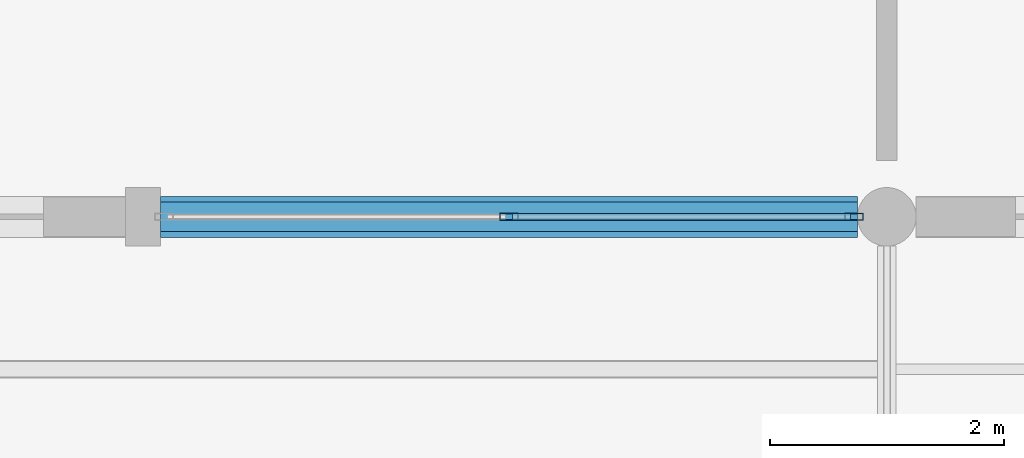
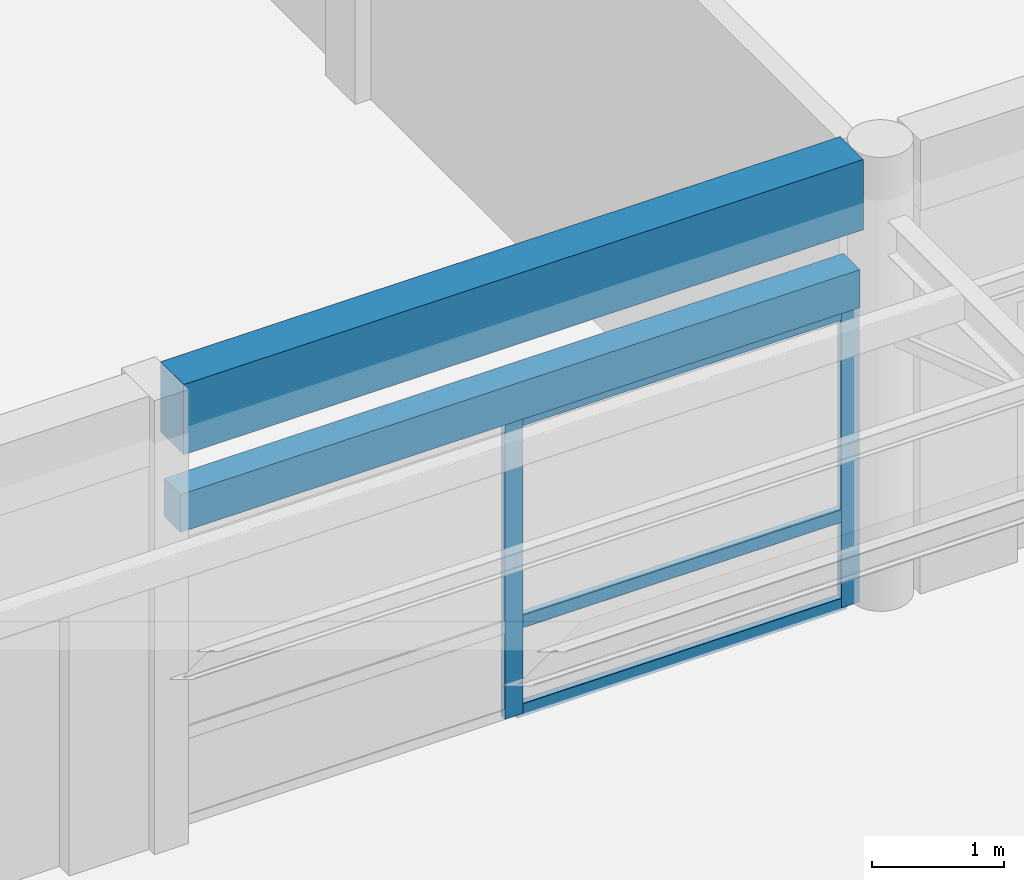
# One storey, part 21 of 75: 5 members, 2 beams, 1 element without a shape of its own.
"""IFC4 building model written with IfcOpenShell, lengths in metres."""

from ifc_helpers import new_model, si_unit, direction, frame, origin, origin_2d, place, context, subcontext, project, spatial, rectangle, hollow_rectangle, extrude, material, material_profile, profile_set, type_object, element, aggregate, save


model = new_model("IFC4")

# Units and contexts
model_context = context("Model", 3, precision=1e-05, world=origin(), true_north=direction((0.0, 1.0)))
body_context = subcontext(model_context, "Body", "Model", "MODEL_VIEW")
ifc_project = project(units=[si_unit("LENGTHUNIT", "METRE"), si_unit("AREAUNIT", "SQUARE_METRE"), si_unit("VOLUMEUNIT", "CUBIC_METRE"), si_unit("PLANEANGLEUNIT", "RADIAN"), si_unit("MASSUNIT", "GRAM", prefix="KILO")], contexts=[model_context])

# Site, building, storey
site_placement = place(None, origin())
site = spatial("IfcSite", under=ifc_project, at=site_placement, CompositionType="ELEMENT")
building_placement = place(site_placement, origin())
building = spatial("IfcBuilding", under=site, at=building_placement, Name="Kernevlak Ridge Housing Community", CompositionType="ELEMENT")
storey_placement = place(building_placement, origin())
storey = spatial("IfcBuildingStorey", under=building, at=storey_placement, Name="L00", CompositionType="ELEMENT", Elevation=0.0)

# Beams
ifc_material_1 = material(Name="Concrete C35/45", Category="concrete")
ifc_material_profile_1 = material_profile(ifc_material_1, rectangle(XDim=0.35009765625, YDim=0.64990234375, at=origin_2d()), Name="RC 350x650")
ifc_profile_set_1 = profile_set([ifc_material_profile_1], Name="Concrete C35/45")
beam_type_1 = type_object("IfcBeamType", Name="B-02", PredefinedType="BEAM", material=ifc_profile_set_1)
beam_1_placement = place(storey_placement, frame((87.699951171875, 7.800048828125, 3.875), z_axis=(1.0, 0.0, 0.0), x_axis=(0.0, 1.0, 0.0)))
element("IfcBeam", 1, at=beam_1_placement, inside=storey, type_object=beam_type_1, Name="Beam B-02 L00 2048", PredefinedType="BEAM", context=body_context, shape_type="SweptSolid", body=[
    extrude(rectangle(XDim=0.35009765625, YDim=0.64990234375, at=origin_2d()), origin(), (0.0, 0.0, 1.0), 5.949951171875),
])
ifc_material_profile_2 = material_profile(ifc_material_1, rectangle(XDim=0.25, YDim=0.35009765625, at=origin_2d()), Name="RC 250x350")
ifc_profile_set_2 = profile_set([ifc_material_profile_2], Name="Concrete C35/45")
beam_type_2 = type_object("IfcBeamType", Name="LN-01", PredefinedType="LINTEL", material=ifc_profile_set_2)
beam_2_placement = place(storey_placement, frame((87.699951171875, 7.800048828125, 2.97509765625), z_axis=(1.0, 0.0, 0.0), x_axis=(0.0, 1.0, 0.0)))
element("IfcBeam", 2, at=beam_2_placement, inside=storey, type_object=beam_type_2, Name="Beam LN-01 L00 2462", PredefinedType="LINTEL", context=body_context, shape_type="SweptSolid", body=[
    extrude(rectangle(XDim=0.25, YDim=0.35009765625, at=origin_2d()), origin(), (0.0, 0.0, 1.0), 5.949951171875),
])

# Curtain wall, members
ifc_material_2 = material(Name="Aluminium EN AW-6060 anodised and laminated glass", Category="aluminium")
curtain_wall_type = type_object("IfcCurtainWallType", Name="CW-04", PredefinedType="NOTDEFINED", material=ifc_material_2)
curtain_wall_placement = place(storey_placement, origin())
curtain_wall = element("IfcCurtainWall", 3, at=curtain_wall_placement, inside=storey, type_object=curtain_wall_type, Name="Curtain wall CW-04 CW-L00-172", PredefinedType="NOTDEFINED")
ifc_material_3 = material(Name="Aluminium EN AW-6060 anodised", Category="aluminium")
ifc_material_profile_3 = material_profile(ifc_material_3, hollow_rectangle(XDim=0.06005859375, YDim=0.159912109375, WallThickness=0.00390625, InnerFilletRadius=0.001953125, OuterFilletRadius=0.00390625, at=origin_2d()), Name="ALU 60x160x4")
ifc_profile_set_3 = profile_set([ifc_material_profile_3], Name="Aluminium EN AW-6060 anodised")
member_type_1 = type_object("IfcMemberType", Name="MU-02", PredefinedType="MULLION", material=ifc_profile_set_3)
member_1_placement = place(storey_placement, frame((90.675048828125, 7.800048828125, 0.0), z_axis=(0.0, 0.0, 1.0), x_axis=(0.0, 1.0, 0.0)))
member_1 = element("IfcMember", 4, at=member_1_placement, type_object=member_type_1, Name="CW-04 mullion 2", PredefinedType="MULLION", context=body_context, shape_type="SweptSolid", body=[
    extrude(hollow_rectangle(XDim=0.06005859375, YDim=0.159912109375, WallThickness=0.00390625, InnerFilletRadius=0.001953125, OuterFilletRadius=0.00390625, at=origin_2d()), origin(), (0.0, 0.0, 1.0), 2.75),
])
member_2_placement = place(storey_placement, frame((93.6201171875, 7.800048828125, 0.0), z_axis=(0.0, 0.0, 1.0), x_axis=(0.0, 1.0, 0.0)))
member_2 = element("IfcMember", 5, at=member_2_placement, type_object=member_type_1, Name="CW-04 mullion 3", PredefinedType="MULLION", context=body_context, shape_type="SweptSolid", body=[
    extrude(hollow_rectangle(XDim=0.06005859375, YDim=0.159912109375, WallThickness=0.00390625, InnerFilletRadius=0.001953125, OuterFilletRadius=0.00390625, at=origin_2d()), origin(), (0.0, 0.0, 1.0), 2.75),
])
ifc_material_profile_4 = material_profile(ifc_material_3, hollow_rectangle(XDim=0.06005859375, YDim=0.1201171875, WallThickness=0.00390625, InnerFilletRadius=0.001953125, OuterFilletRadius=0.00390625, at=origin_2d()), Name="ALU 60x120x4")
ifc_profile_set_4 = profile_set([ifc_material_profile_4], Name="Aluminium EN AW-6060 anodised")
member_type_2 = type_object("IfcMemberType", Name="TM-02", PredefinedType="USERDEFINED", material=ifc_profile_set_4)
member_3_placement = place(storey_placement, frame((90.705078125, 7.800048828125, 0.030029296875), z_axis=(1.0, 0.0, 0.0), x_axis=(0.0, 1.0, 0.0)))
member_3 = element("IfcMember", 6, at=member_3_placement, type_object=member_type_2, Name="CW-04 transom 2.1", ObjectType="TRANSOM", PredefinedType="USERDEFINED", context=body_context, shape_type="SweptSolid", body=[
    extrude(hollow_rectangle(XDim=0.06005859375, YDim=0.1201171875, WallThickness=0.00390625, InnerFilletRadius=0.001953125, OuterFilletRadius=0.00390625, at=origin_2d()), origin(), (0.0, 0.0, 1.0), 2.885009765625),
])
member_4_placement = place(storey_placement, frame((90.705078125, 7.800048828125, 0.85009765625), z_axis=(1.0, 0.0, 0.0), x_axis=(0.0, 1.0, 0.0)))
member_4 = element("IfcMember", 7, at=member_4_placement, type_object=member_type_2, Name="CW-04 transom 2.2", ObjectType="TRANSOM", PredefinedType="USERDEFINED", context=body_context, shape_type="SweptSolid", body=[
    extrude(hollow_rectangle(XDim=0.06005859375, YDim=0.1201171875, WallThickness=0.00390625, InnerFilletRadius=0.001953125, OuterFilletRadius=0.00390625, at=origin_2d()), origin(), (0.0, 0.0, 1.0), 2.885009765625),
])
member_5_placement = place(storey_placement, frame((90.705078125, 7.800048828125, 2.719970703125), z_axis=(1.0, 0.0, 0.0), x_axis=(0.0, 1.0, 0.0)))
member_5 = element("IfcMember", 8, at=member_5_placement, type_object=member_type_2, Name="CW-04 transom 2.3", ObjectType="TRANSOM", PredefinedType="USERDEFINED", context=body_context, shape_type="SweptSolid", body=[
    extrude(hollow_rectangle(XDim=0.06005859375, YDim=0.1201171875, WallThickness=0.00390625, InnerFilletRadius=0.001953125, OuterFilletRadius=0.00390625, at=origin_2d()), origin(), (0.0, 0.0, 1.0), 2.885009765625),
])
aggregate(curtain_wall, [member_1, member_2, member_3, member_4, member_5])

save(model, "model.ifc")
